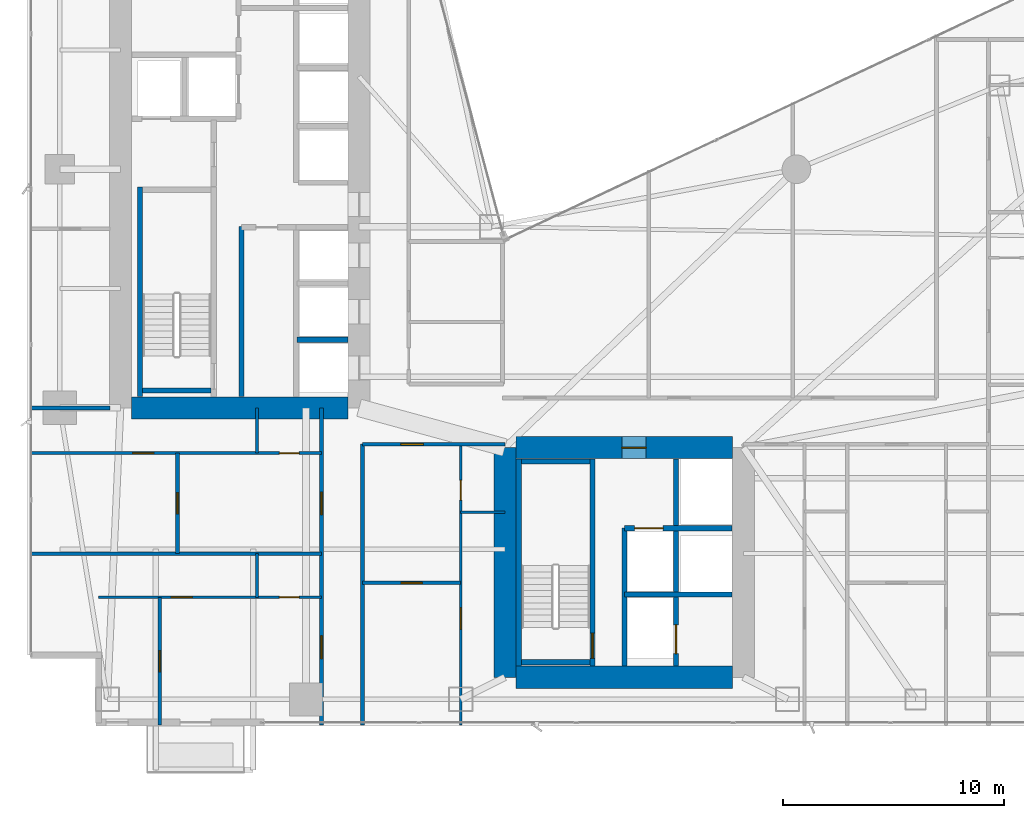
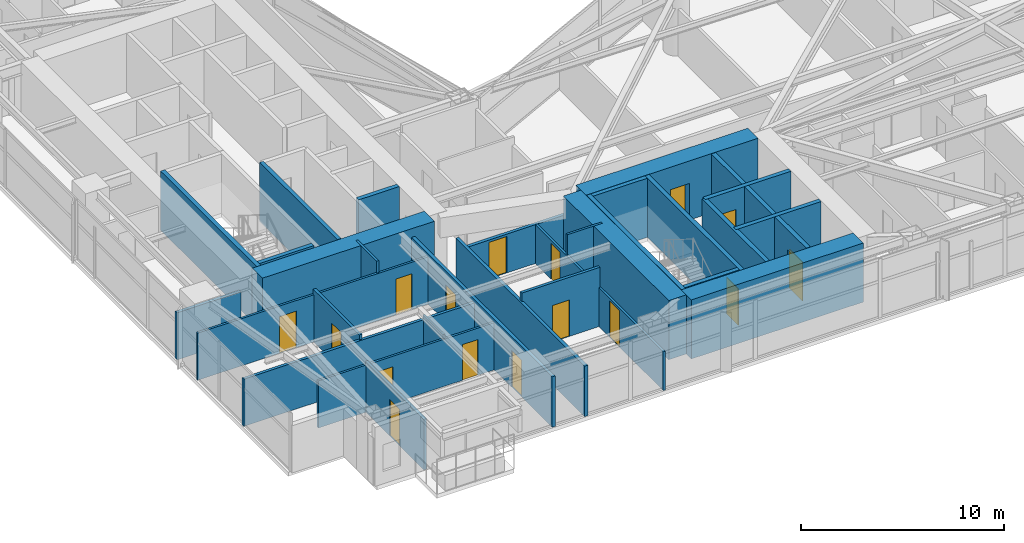
# One storey, part 22 of 30: 30 walls, 16 doors, 16 openings.
"""IFC4 building model written with IfcOpenShell, lengths in metres."""

from ifc_helpers import new_model, si_unit, direction, frame, frame_2d, origin, place, context, subcontext, project, spatial, rectangle, extrude, material, layer, layer_set, type_object, element, fill, save


model = new_model("IFC4")

# Units and contexts
model_context = context("Model", 3, precision=1e-05, world=origin(), true_north=direction((0.0, 1.0)))
body_context = subcontext(model_context, "Body", "Model", "MODEL_VIEW")
ifc_project = project(units=[si_unit("LENGTHUNIT", "METRE"), si_unit("AREAUNIT", "SQUARE_METRE"), si_unit("VOLUMEUNIT", "CUBIC_METRE"), si_unit("PLANEANGLEUNIT", "RADIAN"), si_unit("MASSUNIT", "GRAM", prefix="KILO")], contexts=[model_context])

# Site, building, storey
site_placement = place(None, origin())
site = spatial("IfcSite", under=ifc_project, at=site_placement, CompositionType="ELEMENT")
building_placement = place(site_placement, origin())
building = spatial("IfcBuilding", under=site, at=building_placement, Name="Calvorn Quay Hotel", CompositionType="ELEMENT")
storey_placement = place(building_placement, frame((0.0, 0.0, 77.39990234375)))
storey = spatial("IfcBuildingStorey", under=building, at=storey_placement, Name="L18", CompositionType="ELEMENT", Elevation=77.39990234375)

# Walls
ifc_material_1 = material(Name="Concrete C60", Category="concrete")
ifc_layer_1 = layer(ifc_material_1, 1.0)
ifc_layer_set_1 = layer_set([ifc_layer_1], Name="WL-CORE-1000")
wall_type_1 = type_object("IfcWallType", Name="WL-CORE-1000", PredefinedType="SHEAR", material=ifc_layer_set_1)
wall_1_placement = place(storey_placement, frame((4.699951171875, 16.800048828125, 0.0), z_axis=(0.0, 0.0, 1.0), x_axis=(1.0, 0.0, 0.0)))
element("IfcWall", 1, at=wall_1_placement, inside=storey, type_object=wall_type_1, Name="West Core Shear Wall S (L18)", PredefinedType="SHEAR", context=body_context, shape_type="SweptSolid", body=[
    extrude(rectangle(XDim=9.800048828125, YDim=1.0, at=frame_2d((4.89990234375, 0.0))), origin(), (0.0, 0.0, 1.0), 3.56005859375),
])
wall_2_placement = place(storey_placement, frame((21.60009765625, 4.60009765625, 0.0), z_axis=(0.0, 0.0, 1.0), x_axis=(0.0, 1.0, 0.0)))
element("IfcWall", 2, at=wall_2_placement, inside=storey, type_object=wall_type_1, Name="East Core Shear Wall W (L18)", PredefinedType="SHEAR", context=body_context, shape_type="SweptSolid", body=[
    extrude(rectangle(XDim=10.39990234375, YDim=1.0, at=frame_2d((5.199951171875, 0.0))), origin(), (0.0, 0.0, 1.0), 3.56005859375),
])

# Wall, opening, door
wall_3_placement = place(storey_placement, frame((22.10009765625, 15.0, 0.0), z_axis=(0.0, 0.0, 1.0), x_axis=(1.0, 0.0, 0.0)))
wall_3 = element("IfcWall", 3, at=wall_3_placement, inside=storey, type_object=wall_type_1, Name="East Core Shear Wall N (L18)", PredefinedType="SHEAR", context=body_context, shape_type="SweptSolid", body=[
    extrude(rectangle(XDim=9.7998046875, YDim=1.0, at=frame_2d((4.89990234375, 0.0))), origin(), (0.0, 0.0, 1.0), 3.56005859375),
])
opening_1_placement = place(wall_3_placement, frame((4.800048828125, 0.0, 0.0)))
opening_1 = element("IfcOpeningElement", 4, at=opening_1_placement, cuts=wall_3, Name="Opening D-L18-FLE", PredefinedType="OPENING", context=body_context, shape_type="SweptSolid", body=[
    extrude(rectangle(XDim=1.10009765625, YDim=2.199951171875, at=frame_2d((0.550048828125, 1.10009765625))), frame((0.0, 0.510009765625, 0.0), z_axis=(0.0, -1.0, 0.0), x_axis=(1.0, 0.0, 0.0)), (0.0, 0.0, 1.0), 1.02001953125),
])
ifc_material_2 = material(Name="Smoke-Sealed Steel Class A Fire Door", Category="steel")
door_type_1 = type_object("IfcDoorType", Name="DR-FFLOBBY-1100", OperationType="NOTDEFINED", PredefinedType="DOOR", material=ifc_material_2)
door_1_placement = place(opening_1_placement, origin())
door_1 = element("IfcDoor", 5, at=door_1_placement, inside=storey, type_object=door_type_1, Name="East Firefighting Lobby Fire Door (L18)", OperationType="SINGLE_SWING_RIGHT", OverallHeight=2.199951171875, OverallWidth=1.10009765625, PredefinedType="DOOR", context=body_context, shape_type="SweptSolid", body=[
    extrude(rectangle(XDim=1.10009765625, YDim=2.199951171875, at=frame_2d((0.550048828125, 1.10009765625))), frame((0.0, 0.02490234375, 0.0), z_axis=(0.0, -1.0, 0.0), x_axis=(1.0, 0.0, 0.0)), (0.0, 0.0, 1.0), 0.050048828125),
])
fill(opening_1, door_1)

# Walls
wall_4_placement = place(storey_placement, frame((22.10009765625, 4.60009765625, 0.0), z_axis=(0.0, 0.0, 1.0), x_axis=(1.0, 0.0, 0.0)))
element("IfcWall", 6, at=wall_4_placement, inside=storey, type_object=wall_type_1, Name="East Core Shear Wall S (L18)", PredefinedType="SHEAR", context=body_context, shape_type="SweptSolid", body=[
    extrude(rectangle(XDim=9.7998046875, YDim=1.0, at=frame_2d((4.89990234375, 0.0))), origin(), (0.0, 0.0, 1.0), 3.56005859375),
])
ifc_material_3 = material(Name="Acoustic Fireboard Steel-Stud Partition", Category="steel")
ifc_layer_2 = layer(ifc_material_3, 0.179931640625)
ifc_layer_set_2 = layer_set([ifc_layer_2], Name="WL-CORR-FIRE-180")
wall_type_2 = type_object("IfcWallType", Name="WL-CORR-FIRE-180", PredefinedType="PARTITIONING", material=ifc_layer_set_2)
wall_5_placement = place(storey_placement, frame((0.080078125, 16.800048828125, 0.0), z_axis=(0.0, 0.0, 1.0), x_axis=(1.0, 0.0, 0.0)))
element("IfcWall", 7, at=wall_5_placement, inside=storey, type_object=wall_type_2, Name="Partition Wall L18-WL-WBAY-S-WALL", PredefinedType="PARTITIONING", context=body_context, shape_type="SweptSolid", body=[
    extrude(rectangle(XDim=3.64990234375, YDim=0.179931640625, at=frame_2d((1.824951171875, 0.0))), origin(), (0.0, 0.0, 1.0), 2.840087890625),
])

# Wall, openings, doors
wall_6_placement = place(storey_placement, frame((13.300048828125, 2.43994140625, 0.0), z_axis=(0.0, 0.0, 1.0), x_axis=(0.0, 1.0, 0.0)))
wall_6 = element("IfcWall", 8, at=wall_6_placement, inside=storey, type_object=wall_type_2, Name="Partition Wall L18-WL-CORR-SW-LEG-W", PredefinedType="PARTITIONING", context=body_context, shape_type="SweptSolid", body=[
    extrude(rectangle(XDim=14.360107421875, YDim=0.179931640625, at=frame_2d((7.18017578125, 0.0))), origin(), (0.0, 0.0, 1.0), 3.0400390625),
])
opening_2_placement = place(wall_6_placement, frame((3.010009765625, 0.0, 0.0)))
opening_2 = element("IfcOpeningElement", 9, at=opening_2_placement, cuts=wall_6, Name="Opening D-L18-U01", PredefinedType="OPENING", context=body_context, shape_type="SweptSolid", body=[
    extrude(rectangle(XDim=1.02001953125, YDim=2.199951171875, at=frame_2d((0.510009765625, 1.10009765625))), frame((0.0, 0.099853515625, 0.0), z_axis=(0.0, -1.0, 0.0), x_axis=(1.0, 0.0, 0.0)), (0.0, 0.0, 1.0), 0.199951171875),
])
opening_3_placement = place(wall_6_placement, frame((9.52001953125, 0.0, 0.0)))
opening_3 = element("IfcOpeningElement", 10, at=opening_3_placement, cuts=wall_6, Name="Opening D-L18-U02", PredefinedType="OPENING", context=body_context, shape_type="SweptSolid", body=[
    extrude(rectangle(XDim=1.02001953125, YDim=2.199951171875, at=frame_2d((0.510009765625, 1.10009765625))), frame((0.0, 0.099853515625, 0.0), z_axis=(0.0, -1.0, 0.0), x_axis=(1.0, 0.0, 0.0)), (0.0, 0.0, 1.0), 0.199951171875),
])
ifc_material_4 = material(Name="Solid-Core Walnut Veneer Hotel Fire Door")
door_type_2 = type_object("IfcDoorType", Name="DR-GUEST-ENTRY-1020", OperationType="NOTDEFINED", PredefinedType="DOOR", material=ifc_material_4)
door_2_placement = place(opening_2_placement, origin())
door_2 = element("IfcDoor", 11, at=door_2_placement, inside=storey, type_object=door_type_2, Name="South-West Unit Door U01 (L18)", OperationType="SINGLE_SWING_LEFT", OverallHeight=2.199951171875, OverallWidth=1.02001953125, PredefinedType="DOOR", context=body_context, shape_type="SweptSolid", body=[
    extrude(rectangle(XDim=1.02001953125, YDim=2.199951171875, at=frame_2d((0.510009765625, 1.10009765625))), frame((0.0, 0.02490234375, 0.0), z_axis=(0.0, -1.0, 0.0), x_axis=(1.0, 0.0, 0.0)), (0.0, 0.0, 1.0), 0.050048828125),
])
fill(opening_2, door_2)
door_3_placement = place(opening_3_placement, origin())
door_3 = element("IfcDoor", 12, at=door_3_placement, inside=storey, type_object=door_type_2, Name="South-West Unit Door U02 (L18)", OperationType="SINGLE_SWING_RIGHT", OverallHeight=2.199951171875, OverallWidth=1.02001953125, PredefinedType="DOOR", context=body_context, shape_type="SweptSolid", body=[
    extrude(rectangle(XDim=1.02001953125, YDim=2.199951171875, at=frame_2d((0.510009765625, 1.10009765625))), frame((0.0, 0.02490234375, 0.0), z_axis=(0.0, -1.0, 0.0), x_axis=(1.0, 0.0, 0.0)), (0.0, 0.0, 1.0), 0.050048828125),
])
fill(opening_3, door_3)

# Wall
wall_7_placement = place(storey_placement, frame((15.14990234375, 2.43994140625, 0.0), z_axis=(0.0, 0.0, 1.0), x_axis=(0.0, 1.0, 0.0)))
element("IfcWall", 13, at=wall_7_placement, inside=storey, type_object=wall_type_2, Name="Partition Wall L18-WL-CORR-SW-W", PredefinedType="PARTITIONING", context=body_context, shape_type="SweptSolid", body=[
    extrude(rectangle(XDim=12.7099609375, YDim=0.179931640625, at=frame_2d((6.35498046875, 0.0))), origin(), (0.0, 0.0, 1.0), 3.0400390625),
])

# Wall, opening, door
wall_8_placement = place(storey_placement, frame((15.14990234375, 15.14990234375, 0.0), z_axis=(0.0, 0.0, 1.0), x_axis=(1.0, 0.0, 0.0)))
wall_8 = element("IfcWall", 14, at=wall_8_placement, inside=storey, type_object=wall_type_2, Name="Partition Wall L18-WL-SC-CORR-S", PredefinedType="PARTITIONING", context=body_context, shape_type="SweptSolid", body=[
    extrude(rectangle(XDim=6.4501953125, YDim=0.179931640625, at=frame_2d((3.22509765625, 0.0))), origin(), (0.0, 0.0, 1.0), 2.340087890625),
])
opening_4_placement = place(wall_8_placement, frame((1.739990234375, 0.0, 0.0)))
opening_4 = element("IfcOpeningElement", 15, at=opening_4_placement, cuts=wall_8, Name="Opening D-L18-U03", PredefinedType="OPENING", context=body_context, shape_type="SweptSolid", body=[
    extrude(rectangle(XDim=1.02001953125, YDim=2.199951171875, at=frame_2d((0.510009765625, 1.10009765625))), frame((0.0, 0.099853515625, 0.0), z_axis=(0.0, -1.0, 0.0), x_axis=(1.0, 0.0, 0.0)), (0.0, 0.0, 1.0), 0.199951171875),
])
door_4_placement = place(opening_4_placement, origin())
door_4 = element("IfcDoor", 16, at=door_4_placement, inside=storey, type_object=door_type_2, Name="Harbour Central Unit Door (L18)", OperationType="SINGLE_SWING_LEFT", OverallHeight=2.199951171875, OverallWidth=1.02001953125, PredefinedType="DOOR", context=body_context, shape_type="SweptSolid", body=[
    extrude(rectangle(XDim=1.02001953125, YDim=2.199951171875, at=frame_2d((0.510009765625, 1.10009765625))), frame((0.0, 0.02490234375, 0.0), z_axis=(0.0, -1.0, 0.0), x_axis=(1.0, 0.0, 0.0)), (0.0, 0.0, 1.0), 0.050048828125),
])
fill(opening_4, door_4)

# Wall
ifc_material_5 = material(Name="Moisture-Resistant Tile-Backed Partition")
ifc_layer_3 = layer(ifc_material_5, 0.125)
ifc_layer_set_3 = layer_set([ifc_layer_3], Name="WL-ENSUITE-125")
wall_type_3 = type_object("IfcWallType", Name="WL-ENSUITE-125", PredefinedType="PARTITIONING", material=ifc_layer_set_3)
wall_9_placement = place(storey_placement, frame((10.3798828125, 8.219970703125, 0.0), z_axis=(0.0, 0.0, 1.0), x_axis=(0.0, 1.0, 0.0)))
element("IfcWall", 17, at=wall_9_placement, inside=storey, type_object=wall_type_3, Name="Partition Wall L18-WL-U01-BDV", PredefinedType="PARTITIONING", context=body_context, shape_type="SweptSolid", body=[
    extrude(rectangle(XDim=1.97998046875, YDim=0.125, at=frame_2d((0.989990234375, 0.0))), origin(), (0.0, 0.0, 1.0), 3.090087890625),
])

# Wall, openings, doors
wall_10_placement = place(storey_placement, frame((3.199951171875, 8.219970703125, 0.0), z_axis=(0.0, 0.0, 1.0), x_axis=(1.0, 0.0, 0.0)))
wall_10 = element("IfcWall", 18, at=wall_10_placement, inside=storey, type_object=wall_type_3, Name="Partition Wall L18-WL-U01-BH", PredefinedType="PARTITIONING", context=body_context, shape_type="SweptSolid", body=[
    extrude(rectangle(XDim=10.10009765625, YDim=0.125, at=frame_2d((5.050048828125, 0.0))), origin(), (0.0, 0.0, 1.0), 2.840087890625),
])
opening_5_placement = place(wall_10_placement, frame((3.2900390625, 0.0, 0.0)))
opening_5 = element("IfcOpeningElement", 19, at=opening_5_placement, cuts=wall_10, Name="Opening D-L18-S01", PredefinedType="OPENING", context=body_context, shape_type="SweptSolid", body=[
    extrude(rectangle(XDim=0.9599609375, YDim=2.199951171875, at=frame_2d((0.47998046875, 1.10009765625))), frame((0.0, 0.072509765625, 0.0), z_axis=(0.0, -1.0, 0.0), x_axis=(1.0, 0.0, 0.0)), (0.0, 0.0, 1.0), 0.14501953125),
])
opening_6_placement = place(wall_10_placement, frame((8.18994140625, 0.0, 0.0)))
opening_6 = element("IfcOpeningElement", 20, at=opening_6_placement, cuts=wall_10, Name="Opening D-L18-E01", PredefinedType="OPENING", context=body_context, shape_type="SweptSolid", body=[
    extrude(rectangle(XDim=0.89990234375, YDim=2.14990234375, at=frame_2d((0.449951171875, 1.074951171875))), frame((0.0, 0.072509765625, 0.0), z_axis=(0.0, -1.0, 0.0), x_axis=(1.0, 0.0, 0.0)), (0.0, 0.0, 1.0), 0.14501953125),
])
ifc_material_6 = material(Name="Moisture-Sealed Timber En-Suite Door", Category="wood")
door_type_3 = type_object("IfcDoorType", Name="DR-ENSUITE-900", OperationType="NOTDEFINED", PredefinedType="DOOR", material=ifc_material_6)
door_5_placement = place(opening_6_placement, origin())
door_5 = element("IfcDoor", 21, at=door_5_placement, inside=storey, type_object=door_type_3, Name="En-Suite Door 01", OperationType="SINGLE_SWING_RIGHT", OverallHeight=2.14990234375, OverallWidth=0.89990234375, PredefinedType="DOOR", context=body_context, shape_type="SweptSolid", body=[
    extrude(rectangle(XDim=0.89990234375, YDim=2.14990234375, at=frame_2d((0.449951171875, 1.074951171875))), frame((0.0, 0.02490234375, 0.0), z_axis=(0.0, -1.0, 0.0), x_axis=(1.0, 0.0, 0.0)), (0.0, 0.0, 1.0), 0.050048828125),
])
fill(opening_6, door_5)
ifc_material_7 = material(Name="Solid Timber Internal Suite Door", Category="wood")
door_type_4 = type_object("IfcDoorType", Name="DR-SUITE-INT-960", OperationType="NOTDEFINED", PredefinedType="DOOR", material=ifc_material_7)
door_6_placement = place(opening_5_placement, origin())
door_6 = element("IfcDoor", 22, at=door_6_placement, inside=storey, type_object=door_type_4, Name="Botanical Winter Garden Door 01", OperationType="SINGLE_SWING_LEFT", OverallHeight=2.199951171875, OverallWidth=0.9599609375, PredefinedType="DOOR", context=body_context, shape_type="SweptSolid", body=[
    extrude(rectangle(XDim=0.9599609375, YDim=2.199951171875, at=frame_2d((0.47998046875, 1.10009765625))), frame((0.0, 0.02490234375, 0.0), z_axis=(0.0, -1.0, 0.0), x_axis=(1.0, 0.0, 0.0)), (0.0, 0.0, 1.0), 0.050048828125),
])
fill(opening_5, door_6)

# Wall
wall_11_placement = place(storey_placement, frame((10.3798828125, 14.75, 0.0), z_axis=(0.0, 0.0, 1.0), x_axis=(0.0, 1.0, 0.0)))
element("IfcWall", 23, at=wall_11_placement, inside=storey, type_object=wall_type_3, Name="Partition Wall L18-WL-U02-BDV", PredefinedType="PARTITIONING", context=body_context, shape_type="SweptSolid", body=[
    extrude(rectangle(XDim=2.050048828125, YDim=0.125, at=frame_2d((1.02490234375, 0.0))), origin(), (0.0, 0.0, 1.0), 3.56005859375),
])

# Wall, openings, doors
wall_12_placement = place(storey_placement, frame((0.080078125, 14.75, 0.0), z_axis=(0.0, 0.0, 1.0), x_axis=(1.0, 0.0, 0.0)))
wall_12 = element("IfcWall", 24, at=wall_12_placement, inside=storey, type_object=wall_type_3, Name="Partition Wall L18-WL-U02-BH", PredefinedType="PARTITIONING", context=body_context, shape_type="SweptSolid", body=[
    extrude(rectangle(XDim=13.219970703125, YDim=0.125, at=frame_2d((6.60986328125, 0.0))), origin(), (0.0, 0.0, 1.0), 2.840087890625),
])
opening_7_placement = place(wall_12_placement, frame((4.669921875, 0.0, 0.0)))
opening_7 = element("IfcOpeningElement", 25, at=opening_7_placement, cuts=wall_12, Name="Opening D-L18-S02", PredefinedType="OPENING", context=body_context, shape_type="SweptSolid", body=[
    extrude(rectangle(XDim=0.9599609375, YDim=2.199951171875, at=frame_2d((0.47998046875, 1.10009765625))), frame((0.0, 0.072509765625, 0.0), z_axis=(0.0, -1.0, 0.0), x_axis=(1.0, 0.0, 0.0)), (0.0, 0.0, 1.0), 0.14501953125),
])
opening_8_placement = place(wall_12_placement, frame((11.31005859375, 0.0, 0.0)))
opening_8 = element("IfcOpeningElement", 26, at=opening_8_placement, cuts=wall_12, Name="Opening D-L18-E02", PredefinedType="OPENING", context=body_context, shape_type="SweptSolid", body=[
    extrude(rectangle(XDim=0.89990234375, YDim=2.14990234375, at=frame_2d((0.449951171875, 1.074951171875))), frame((0.0, 0.072509765625, 0.0), z_axis=(0.0, -1.0, 0.0), x_axis=(1.0, 0.0, 0.0)), (0.0, 0.0, 1.0), 0.14501953125),
])
door_7_placement = place(opening_8_placement, origin())
door_7 = element("IfcDoor", 27, at=door_7_placement, inside=storey, type_object=door_type_3, Name="En-Suite Door 02", OperationType="SINGLE_SWING_RIGHT", OverallHeight=2.14990234375, OverallWidth=0.89990234375, PredefinedType="DOOR", context=body_context, shape_type="SweptSolid", body=[
    extrude(rectangle(XDim=0.89990234375, YDim=2.14990234375, at=frame_2d((0.449951171875, 1.074951171875))), frame((0.0, 0.02490234375, 0.0), z_axis=(0.0, -1.0, 0.0), x_axis=(1.0, 0.0, 0.0)), (0.0, 0.0, 1.0), 0.050048828125),
])
fill(opening_8, door_7)
door_8_placement = place(opening_7_placement, origin())
door_8 = element("IfcDoor", 28, at=door_8_placement, inside=storey, type_object=door_type_4, Name="Botanical Winter Garden Door 02", OperationType="SINGLE_SWING_LEFT", OverallHeight=2.199951171875, OverallWidth=0.9599609375, PredefinedType="DOOR", context=body_context, shape_type="SweptSolid", body=[
    extrude(rectangle(XDim=0.9599609375, YDim=2.199951171875, at=frame_2d((0.47998046875, 1.10009765625))), frame((0.0, 0.02490234375, 0.0), z_axis=(0.0, -1.0, 0.0), x_axis=(1.0, 0.0, 0.0)), (0.0, 0.0, 1.0), 0.050048828125),
])
fill(opening_7, door_8)

# Wall
wall_13_placement = place(storey_placement, frame((19.60009765625, 12.070068359375, 0.0), z_axis=(0.0, 0.0, 1.0), x_axis=(1.0, 0.0, 0.0)))
element("IfcWall", 29, at=wall_13_placement, inside=storey, type_object=wall_type_3, Name="Partition Wall L18-WL-U03-BDV", PredefinedType="PARTITIONING", context=body_context, shape_type="SweptSolid", body=[
    extrude(rectangle(XDim=2.0, YDim=0.125, at=frame_2d((1.0, 0.0))), origin(), (0.0, 0.0, 1.0), 3.56005859375),
])

# Wall, openings, doors
wall_14_placement = place(storey_placement, frame((19.60009765625, 2.43994140625, 0.0), z_axis=(0.0, 0.0, 1.0), x_axis=(0.0, 1.0, 0.0)))
wall_14 = element("IfcWall", 30, at=wall_14_placement, inside=storey, type_object=wall_type_3, Name="Partition Wall L18-WL-U03-BV", PredefinedType="PARTITIONING", context=body_context, shape_type="SweptSolid", body=[
    extrude(rectangle(XDim=12.7099609375, YDim=0.125, at=frame_2d((6.35498046875, 0.0))), origin(), (0.0, 0.0, 1.0), 2.340087890625),
])
opening_9_placement = place(wall_14_placement, frame((4.340087890625, 0.0, 0.0)))
opening_9 = element("IfcOpeningElement", 31, at=opening_9_placement, cuts=wall_14, Name="Opening D-L18-S03", PredefinedType="OPENING", context=body_context, shape_type="SweptSolid", body=[
    extrude(rectangle(XDim=0.9599609375, YDim=2.199951171875, at=frame_2d((0.47998046875, 1.10009765625))), frame((0.0, 0.072509765625, 0.0), z_axis=(0.0, -1.0, 0.0), x_axis=(1.0, 0.0, 0.0)), (0.0, 0.0, 1.0), 0.14501953125),
])
opening_10_placement = place(wall_14_placement, frame((10.179931640625, 0.0, 0.0)))
opening_10 = element("IfcOpeningElement", 32, at=opening_10_placement, cuts=wall_14, Name="Opening D-L18-E03", PredefinedType="OPENING", context=body_context, shape_type="SweptSolid", body=[
    extrude(rectangle(XDim=0.89990234375, YDim=2.14990234375, at=frame_2d((0.449951171875, 1.074951171875))), frame((0.0, 0.072509765625, 0.0), z_axis=(0.0, -1.0, 0.0), x_axis=(1.0, 0.0, 0.0)), (0.0, 0.0, 1.0), 0.14501953125),
])
door_9_placement = place(opening_10_placement, origin())
door_9 = element("IfcDoor", 33, at=door_9_placement, inside=storey, type_object=door_type_3, Name="En-Suite Door 03", OperationType="SINGLE_SWING_RIGHT", OverallHeight=2.14990234375, OverallWidth=0.89990234375, PredefinedType="DOOR", context=body_context, shape_type="SweptSolid", body=[
    extrude(rectangle(XDim=0.89990234375, YDim=2.14990234375, at=frame_2d((0.449951171875, 1.074951171875))), frame((0.0, 0.02490234375, 0.0), z_axis=(0.0, -1.0, 0.0), x_axis=(1.0, 0.0, 0.0)), (0.0, 0.0, 1.0), 0.050048828125),
])
fill(opening_10, door_9)
door_10_placement = place(opening_9_placement, origin())
door_10 = element("IfcDoor", 34, at=door_10_placement, inside=storey, type_object=door_type_4, Name="Botanical Winter Garden Door 03", OperationType="SINGLE_SWING_LEFT", OverallHeight=2.199951171875, OverallWidth=0.9599609375, PredefinedType="DOOR", context=body_context, shape_type="SweptSolid", body=[
    extrude(rectangle(XDim=0.9599609375, YDim=2.199951171875, at=frame_2d((0.47998046875, 1.10009765625))), frame((0.0, 0.02490234375, 0.0), z_axis=(0.0, -1.0, 0.0), x_axis=(1.0, 0.0, 0.0)), (0.0, 0.0, 1.0), 0.050048828125),
])
fill(opening_9, door_10)

# Wall, opening, door
ifc_material_8 = material(Name="Double-Stud Acoustic Gypsum Partition")
ifc_layer_4 = layer(ifc_material_8, 0.159912109375)
ifc_layer_set_4 = layer_set([ifc_layer_4], Name="WL-INTERSUITE-160")
wall_type_4 = type_object("IfcWallType", Name="WL-INTERSUITE-160", PredefinedType="PARTITIONING", material=ifc_layer_set_4)
wall_15_placement = place(storey_placement, frame((5.97998046875, 2.43994140625, 0.0), z_axis=(0.0, 0.0, 1.0), x_axis=(0.0, 1.0, 0.0)))
wall_15 = element("IfcWall", 35, at=wall_15_placement, inside=storey, type_object=wall_type_4, Name="Partition Wall L18-WL-U01-MSP", PredefinedType="PARTITIONING", context=body_context, shape_type="SweptSolid", body=[
    extrude(rectangle(XDim=5.780029296875, YDim=0.159912109375, at=frame_2d((2.89013671875, 0.0))), origin(), (0.0, 0.0, 1.0), 3.0400390625),
])
opening_11_placement = place(wall_15_placement, frame((2.409912109375, 0.0, 0.0)))
opening_11 = element("IfcOpeningElement", 36, at=opening_11_placement, cuts=wall_15, Name="Opening D-L18-M01", PredefinedType="OPENING", context=body_context, shape_type="SweptSolid", body=[
    extrude(rectangle(XDim=0.9599609375, YDim=2.199951171875, at=frame_2d((0.47998046875, 1.10009765625))), frame((0.0, 0.08984375, 0.0), z_axis=(0.0, -1.0, 0.0), x_axis=(1.0, 0.0, 0.0)), (0.0, 0.0, 1.0), 0.179931640625),
])
door_11_placement = place(opening_11_placement, origin())
door_11 = element("IfcDoor", 37, at=door_11_placement, inside=storey, type_object=door_type_4, Name="Suite Bedroom Door 01", OperationType="SINGLE_SWING_LEFT", OverallHeight=2.199951171875, OverallWidth=0.9599609375, PredefinedType="DOOR", context=body_context, shape_type="SweptSolid", body=[
    extrude(rectangle(XDim=0.9599609375, YDim=2.199951171875, at=frame_2d((0.47998046875, 1.10009765625))), frame((0.0, 0.02490234375, 0.0), z_axis=(0.0, -1.0, 0.0), x_axis=(1.0, 0.0, 0.0)), (0.0, 0.0, 1.0), 0.050048828125),
])
fill(opening_11, door_11)

wall_16_placement = place(storey_placement, frame((6.780029296875, 10.199951171875, 0.0), z_axis=(0.0, 0.0, 1.0), x_axis=(0.0, 1.0, 0.0)))
wall_16 = element("IfcWall", 38, at=wall_16_placement, inside=storey, type_object=wall_type_4, Name="Partition Wall L18-WL-U02-MSP", PredefinedType="PARTITIONING", context=body_context, shape_type="SweptSolid", body=[
    extrude(rectangle(XDim=4.550048828125, YDim=0.159912109375, at=frame_2d((2.27490234375, 0.0))), origin(), (0.0, 0.0, 1.0), 3.14013671875),
])
opening_12_placement = place(wall_16_placement, frame((1.800048828125, 0.0, 0.0)))
opening_12 = element("IfcOpeningElement", 39, at=opening_12_placement, cuts=wall_16, Name="Opening D-L18-M02", PredefinedType="OPENING", context=body_context, shape_type="SweptSolid", body=[
    extrude(rectangle(XDim=0.9599609375, YDim=2.199951171875, at=frame_2d((0.47998046875, 1.10009765625))), frame((0.0, 0.08984375, 0.0), z_axis=(0.0, -1.0, 0.0), x_axis=(1.0, 0.0, 0.0)), (0.0, 0.0, 1.0), 0.179931640625),
])
door_12_placement = place(opening_12_placement, origin())
door_12 = element("IfcDoor", 40, at=door_12_placement, inside=storey, type_object=door_type_4, Name="Suite Bedroom Door 02", OperationType="SINGLE_SWING_LEFT", OverallHeight=2.199951171875, OverallWidth=0.9599609375, PredefinedType="DOOR", context=body_context, shape_type="SweptSolid", body=[
    extrude(rectangle(XDim=0.9599609375, YDim=2.199951171875, at=frame_2d((0.47998046875, 1.10009765625))), frame((0.0, 0.02490234375, 0.0), z_axis=(0.0, -1.0, 0.0), x_axis=(1.0, 0.0, 0.0)), (0.0, 0.0, 1.0), 0.050048828125),
])
fill(opening_12, door_12)

# Wall
wall_17_placement = place(storey_placement, frame((0.080078125, 10.199951171875, 0.0), z_axis=(0.0, 0.0, 1.0), x_axis=(1.0, 0.0, 0.0)))
element("IfcWall", 41, at=wall_17_placement, inside=storey, type_object=wall_type_4, Name="Partition Wall L18-WL-SW-DIV-1", PredefinedType="PARTITIONING", context=body_context, shape_type="SweptSolid", body=[
    extrude(rectangle(XDim=13.219970703125, YDim=0.159912109375, at=frame_2d((6.60986328125, 0.0))), origin(), (0.0, 0.0, 1.0), 2.840087890625),
])

# Wall, opening, door
wall_18_placement = place(storey_placement, frame((15.14990234375, 8.8701171875, 0.0), z_axis=(0.0, 0.0, 1.0), x_axis=(1.0, 0.0, 0.0)))
wall_18 = element("IfcWall", 42, at=wall_18_placement, inside=storey, type_object=wall_type_4, Name="Partition Wall L18-WL-U03-MSP", PredefinedType="PARTITIONING", context=body_context, shape_type="SweptSolid", body=[
    extrude(rectangle(XDim=4.4501953125, YDim=0.159912109375, at=frame_2d((2.22509765625, 0.0))), origin(), (0.0, 0.0, 1.0), 3.56005859375),
])
opening_13_placement = place(wall_18_placement, frame((1.75, 0.0, 0.0)))
opening_13 = element("IfcOpeningElement", 43, at=opening_13_placement, cuts=wall_18, Name="Opening D-L18-M03", PredefinedType="OPENING", context=body_context, shape_type="SweptSolid", body=[
    extrude(rectangle(XDim=0.9599609375, YDim=2.199951171875, at=frame_2d((0.47998046875, 1.10009765625))), frame((0.0, 0.08984375, 0.0), z_axis=(0.0, -1.0, 0.0), x_axis=(1.0, 0.0, 0.0)), (0.0, 0.0, 1.0), 0.179931640625),
])
door_13_placement = place(opening_13_placement, origin())
door_13 = element("IfcDoor", 44, at=door_13_placement, inside=storey, type_object=door_type_4, Name="Suite Bedroom Door 03", OperationType="SINGLE_SWING_LEFT", OverallHeight=2.199951171875, OverallWidth=0.9599609375, PredefinedType="DOOR", context=body_context, shape_type="SweptSolid", body=[
    extrude(rectangle(XDim=0.9599609375, YDim=2.199951171875, at=frame_2d((0.47998046875, 1.10009765625))), frame((0.0, 0.02490234375, 0.0), z_axis=(0.0, -1.0, 0.0), x_axis=(1.0, 0.0, 0.0)), (0.0, 0.0, 1.0), 0.050048828125),
])
fill(opening_13, door_13)

# Walls
ifc_material_9 = material(Name="Autoclaved Aerated Masonry Block", Category="masonry")
ifc_layer_5 = layer(ifc_material_9, 0.219970703125)
ifc_layer_set_5 = layer_set([ifc_layer_5], Name="WL-LOBBY-FIRE-220")
wall_type_5 = type_object("IfcWallType", Name="WL-LOBBY-FIRE-220", PredefinedType="SOLIDWALL", material=ifc_layer_set_5)
wall_19_placement = place(storey_placement, frame((9.679931640625, 17.320068359375, 0.0), z_axis=(0.0, 0.0, 1.0), x_axis=(0.0, 1.0, 0.0)))
element("IfcWall", 45, at=wall_19_placement, inside=storey, type_object=wall_type_5, Name="Partition Wall L18-WL-CWW-STW-HALL-E", PredefinedType="SOLIDWALL", context=body_context, shape_type="SweptSolid", body=[
    extrude(rectangle(XDim=7.679931640625, YDim=0.219970703125, at=frame_2d((3.83984375, 0.0))), origin(), (0.0, 0.0, 1.0), 3.56005859375),
])
ifc_material_10 = material(Name="Concrete C40", Category="concrete")
ifc_layer_6 = layer(ifc_material_10, 0.239990234375)
ifc_layer_set_6 = layer_set([ifc_layer_6], Name="WL-SHAFT-240")
wall_type_6 = type_object("IfcWallType", Name="WL-SHAFT-240", PredefinedType="SOLIDWALL", material=ifc_layer_set_6)
wall_20_placement = place(storey_placement, frame((5.080078125, 17.300048828125, 0.0), z_axis=(0.0, 0.0, 1.0), x_axis=(0.0, 1.0, 0.0)))
element("IfcWall", 46, at=wall_20_placement, inside=storey, type_object=wall_type_6, Name="Stair STW Shaft Wall W (L18)", PredefinedType="SOLIDWALL", context=body_context, shape_type="SweptSolid", body=[
    extrude(rectangle(XDim=9.489990234375, YDim=0.239990234375, at=frame_2d((4.7451171875, 0.0))), origin(), (0.0, 0.0, 1.0), 3.56005859375),
])
wall_21_placement = place(storey_placement, frame((5.199951171875, 17.580078125, 0.0), z_axis=(0.0, 0.0, 1.0), x_axis=(1.0, 0.0, 0.0)))
element("IfcWall", 47, at=wall_21_placement, inside=storey, type_object=wall_type_6, Name="Stair STW Shaft Wall S (L18)", PredefinedType="SOLIDWALL", context=body_context, shape_type="SweptSolid", body=[
    extrude(rectangle(XDim=3.10009765625, YDim=0.239990234375, at=frame_2d((1.550048828125, 0.0))), origin(), (0.0, 0.0, 1.0), 3.56005859375),
])
wall_22_placement = place(storey_placement, frame((22.22998046875, 5.10009765625, 0.0), z_axis=(0.0, 0.0, 1.0), x_axis=(0.0, 1.0, 0.0)))
element("IfcWall", 48, at=wall_22_placement, inside=storey, type_object=wall_type_6, Name="Stair STE Shaft Wall W (L18)", PredefinedType="SOLIDWALL", context=body_context, shape_type="SweptSolid", body=[
    extrude(rectangle(XDim=9.389892578125, YDim=0.239990234375, at=frame_2d((4.69482421875, 0.0))), origin(), (0.0, 0.0, 1.0), 3.56005859375),
])

# Wall, opening, door
wall_23_placement = place(storey_placement, frame((25.570068359375, 5.10009765625, 0.0), z_axis=(0.0, 0.0, 1.0), x_axis=(0.0, 1.0, 0.0)))
wall_23 = element("IfcWall", 49, at=wall_23_placement, inside=storey, type_object=wall_type_6, Name="Stair STE Shaft Wall E (L18)", PredefinedType="SOLIDWALL", context=body_context, shape_type="SweptSolid", body=[
    extrude(rectangle(XDim=9.389892578125, YDim=0.239990234375, at=frame_2d((4.69482421875, 0.0))), origin(), (0.0, 0.0, 1.0), 3.56005859375),
])
opening_14_placement = place(wall_23_placement, frame((0.35009765625, 0.0, 0.0)))
opening_14 = element("IfcOpeningElement", 50, at=opening_14_placement, cuts=wall_23, Name="Opening D-L18-STE", PredefinedType="OPENING", context=body_context, shape_type="SweptSolid", body=[
    extrude(rectangle(XDim=1.14990234375, YDim=2.199951171875, at=frame_2d((0.574951171875, 1.10009765625))), frame((0.0, 0.1298828125, 0.0), z_axis=(0.0, -1.0, 0.0), x_axis=(1.0, 0.0, 0.0)), (0.0, 0.0, 1.0), 0.260009765625),
])
ifc_material_11 = material(Name="Galvanised Steel Class A Fire Door", Category="steel")
door_type_5 = type_object("IfcDoorType", Name="DR-STAIR-SMOKE-1150", OperationType="NOTDEFINED", PredefinedType="DOOR", material=ifc_material_11)
door_14_placement = place(opening_14_placement, origin())
door_14 = element("IfcDoor", 51, at=door_14_placement, inside=storey, type_object=door_type_5, Name="Stair ST-E Fire Door (L18)", OperationType="SINGLE_SWING_RIGHT", OverallHeight=2.199951171875, OverallWidth=1.14990234375, PredefinedType="DOOR", context=body_context, shape_type="SweptSolid", body=[
    extrude(rectangle(XDim=1.14990234375, YDim=2.199951171875, at=frame_2d((0.574951171875, 1.10009765625))), frame((0.0, 0.02490234375, 0.0), z_axis=(0.0, -1.0, 0.0), x_axis=(1.0, 0.0, 0.0)), (0.0, 0.0, 1.0), 0.050048828125),
])
fill(opening_14, door_14)

# Walls
for number, where, z_axis, x_axis, name in (
    (52, (22.35009765625, 5.280029296875, 0.0), (0.0, 0.0, 1.0), (1.0, 0.0, 0.0), "Stair STE Shaft Wall S (L18)"),
    (53, (22.35009765625, 14.3701171875, 0.0), (0.0, 0.0, 1.0), (1.0, 0.0, 0.0), "Stair STE Shaft Wall N (L18)"),
):
    element("IfcWall", number, at=place(storey_placement, frame(where, z_axis=z_axis, x_axis=x_axis)), inside=storey, type_object=wall_type_6, Name=name, PredefinedType="SOLIDWALL", context=body_context, shape_type="SweptSolid", body=[
        extrude(rectangle(XDim=3.099853515625, YDim=0.239990234375, at=frame_2d((1.5498046875, 0.0))), origin(), (0.0, 0.0, 1.0), 3.56005859375),
    ])
wall_24_placement = place(storey_placement, frame((12.179931640625, 19.875, 0.0), z_axis=(0.0, 0.0, 1.0), x_axis=(1.0, 0.0, 0.0)))
element("IfcWall", 54, at=wall_24_placement, inside=storey, type_object=wall_type_6, Name="Lift Hoistway Divider Wall PLL12 (L18)", PredefinedType="SOLIDWALL", context=body_context, shape_type="SweptSolid", body=[
    extrude(rectangle(XDim=2.320068359375, YDim=0.239990234375, at=frame_2d((1.16015625, 0.0))), origin(), (0.0, 0.0, 1.0), 3.56005859375),
])
wall_25_placement = place(storey_placement, frame((27.02001953125, 5.1201171875, 0.0), z_axis=(0.0, 0.0, 1.0), x_axis=(0.0, 1.0, 0.0)))
element("IfcWall", 55, at=wall_25_placement, inside=storey, type_object=wall_type_6, Name="Partition Wall L18-WL-CWE-SH-W", PredefinedType="SOLIDWALL", context=body_context, shape_type="SweptSolid", body=[
    extrude(rectangle(XDim=6.22998046875, YDim=0.239990234375, at=frame_2d((3.114990234375, 0.0))), origin(), (0.0, 0.0, 1.0), 3.56005859375),
])

# Wall, opening, door
wall_26_placement = place(storey_placement, frame((27.02001953125, 11.35009765625, 0.0), z_axis=(0.0, 0.0, 1.0), x_axis=(1.0, 0.0, 0.0)))
wall_26 = element("IfcWall", 56, at=wall_26_placement, inside=storey, type_object=wall_type_6, Name="Partition Wall L18-WL-CWE-FFL-S", PredefinedType="SOLIDWALL", context=body_context, shape_type="SweptSolid", body=[
    extrude(rectangle(XDim=4.85986328125, YDim=0.239990234375, at=frame_2d((2.429931640625, 0.0))), origin(), (0.0, 0.0, 1.0), 3.56005859375),
])
opening_15_placement = place(wall_26_placement, frame((0.449951171875, 0.0, 0.0)))
opening_15 = element("IfcOpeningElement", 57, at=opening_15_placement, cuts=wall_26, Name="Opening LD-L18-FLE1", PredefinedType="OPENING", context=body_context, shape_type="SweptSolid", body=[
    extrude(rectangle(XDim=1.300048828125, YDim=2.35009765625, at=frame_2d((0.64990234375, 1.175048828125))), frame((0.0, 0.1298828125, 0.0), z_axis=(0.0, -1.0, 0.0), x_axis=(1.0, 0.0, 0.0)), (0.0, 0.0, 1.0), 0.260009765625),
])
ifc_material_12 = material(Name="Champagne-Bronze Sliding Express Lift Landing Door")
door_type_6 = type_object("IfcDoorType", Name="DR-LIFT-SHUTTLE-1300", OperationType="NOTDEFINED", PredefinedType="DOOR", material=ifc_material_12)
door_15_placement = place(opening_15_placement, origin())
door_15 = element("IfcDoor", 58, at=door_15_placement, inside=storey, type_object=door_type_6, Name="Firefighting Lift FL-E1 Landing Door (L18)", OperationType="DOUBLE_DOOR_SLIDING", OverallHeight=2.35009765625, OverallWidth=1.300048828125, PredefinedType="DOOR", context=body_context, shape_type="SweptSolid", body=[
    extrude(rectangle(XDim=1.300048828125, YDim=2.35009765625, at=frame_2d((0.64990234375, 1.175048828125))), frame((0.0, 0.02490234375, 0.0), z_axis=(0.0, -1.0, 0.0), x_axis=(1.0, 0.0, 0.0)), (0.0, 0.0, 1.0), 0.050048828125),
])
fill(opening_15, door_15)

# Wall
wall_27_placement = place(storey_placement, frame((27.02001953125, 8.35009765625, 0.0), z_axis=(0.0, 0.0, 1.0), x_axis=(1.0, 0.0, 0.0)))
element("IfcWall", 59, at=wall_27_placement, inside=storey, type_object=wall_type_6, Name="Partition Wall L18-WL-CWE-SL-N", PredefinedType="SOLIDWALL", context=body_context, shape_type="SweptSolid", body=[
    extrude(rectangle(XDim=4.85986328125, YDim=0.239990234375, at=frame_2d((2.429931640625, 0.0))), origin(), (0.0, 0.0, 1.0), 3.56005859375),
])

# Wall, opening, door
wall_28_placement = place(storey_placement, frame((29.35009765625, 5.1201171875, 0.0), z_axis=(0.0, 0.0, 1.0), x_axis=(0.0, 1.0, 0.0)))
wall_28 = element("IfcWall", 60, at=wall_28_placement, inside=storey, type_object=wall_type_6, Name="Partition Wall L18-WL-CWE-OB-W", PredefinedType="SOLIDWALL", context=body_context, shape_type="SweptSolid", body=[
    extrude(rectangle(XDim=9.35986328125, YDim=0.239990234375, at=frame_2d((4.679931640625, 0.0))), origin(), (0.0, 0.0, 1.0), 3.56005859375),
])
opening_16_placement = place(wall_28_placement, frame((0.550048828125, 0.0, 0.0)))
opening_16 = element("IfcOpeningElement", 61, at=opening_16_placement, cuts=wall_28, Name="Opening LD-L18-SLEI", PredefinedType="OPENING", context=body_context, shape_type="SweptSolid", body=[
    extrude(rectangle(XDim=1.300048828125, YDim=2.35009765625, at=frame_2d((0.64990234375, 1.175048828125))), frame((0.0, 0.1298828125, 0.0), z_axis=(0.0, -1.0, 0.0), x_axis=(1.0, 0.0, 0.0)), (0.0, 0.0, 1.0), 0.260009765625),
])
door_16_placement = place(opening_16_placement, origin())
door_16 = element("IfcDoor", 62, at=door_16_placement, inside=storey, type_object=door_type_6, Name="Service Lift SL-E1 Landing Door (L18)", OperationType="DOUBLE_DOOR_SLIDING", OverallHeight=2.35009765625, OverallWidth=1.300048828125, PredefinedType="DOOR", context=body_context, shape_type="SweptSolid", body=[
    extrude(rectangle(XDim=1.300048828125, YDim=2.35009765625, at=frame_2d((0.64990234375, 1.175048828125))), frame((0.0, 0.02490234375, 0.0), z_axis=(0.0, -1.0, 0.0), x_axis=(1.0, 0.0, 0.0)), (0.0, 0.0, 1.0), 0.050048828125),
])
fill(opening_16, door_16)

save(model, "model.ifc")
